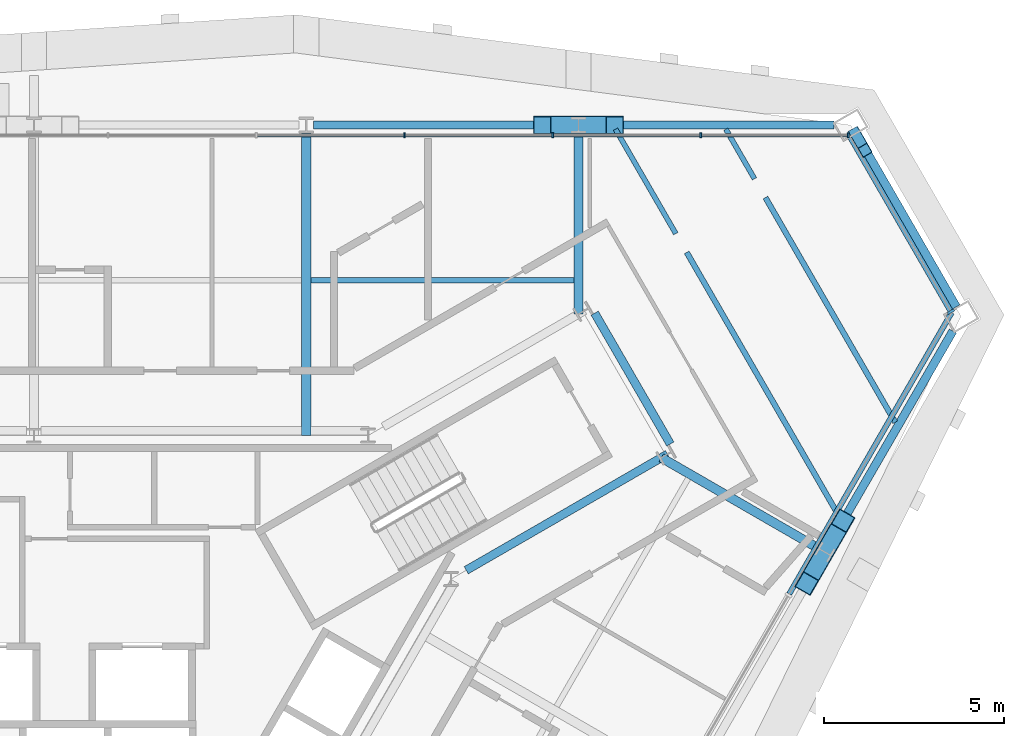
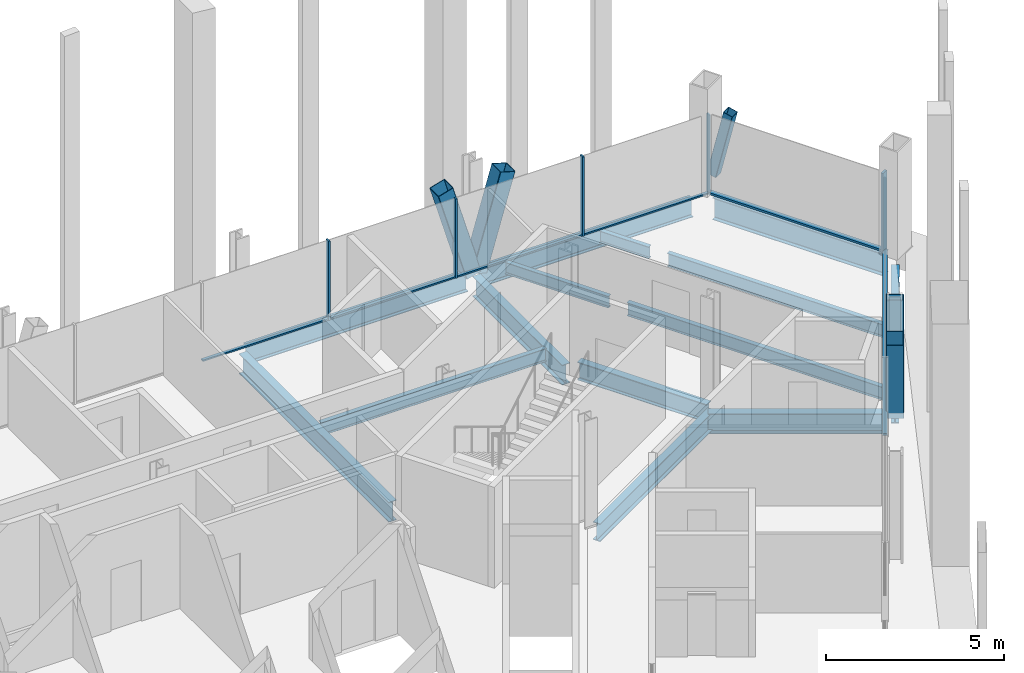
# One storey, part 7 of 14: 16 members, 14 beams, 3 elements without a shape of their own.
"""IFC4 building model written with IfcOpenShell, lengths in metres."""

from ifc_helpers import new_model, si_unit, direction, frame, origin, origin_2d, place, context, subcontext, project, spatial, rectangle, hollow_rectangle, i_section, extrude, material, material_profile, profile_set, type_object, element, aggregate, save


model = new_model("IFC4")

# Units and contexts
model_context = context("Model", 3, precision=1e-05, world=origin(), true_north=direction((0.0, 1.0)))
body_context = subcontext(model_context, "Body", "Model", "MODEL_VIEW")
ifc_project = project(units=[si_unit("LENGTHUNIT", "METRE"), si_unit("AREAUNIT", "SQUARE_METRE"), si_unit("VOLUMEUNIT", "CUBIC_METRE"), si_unit("PLANEANGLEUNIT", "RADIAN"), si_unit("MASSUNIT", "GRAM", prefix="KILO")], contexts=[model_context])

# Site, building, storey
site_placement = place(None, origin())
site = spatial("IfcSite", under=ifc_project, at=site_placement, CompositionType="ELEMENT")
building_placement = place(site_placement, origin())
building = spatial("IfcBuilding", under=site, at=building_placement, Name="Verrane Prism Tower", CompositionType="ELEMENT")
storey_placement = place(building_placement, frame((0.0, 0.0, 148.800048828125)))
storey = spatial("IfcBuildingStorey", under=building, at=storey_placement, Name="L36", CompositionType="ELEMENT", Elevation=148.800048828125)

# Member
ifc_material_1 = material(Name="Steel A500 Grade C", Category="steel")
ifc_material_profile_1 = material_profile(ifc_material_1, hollow_rectangle(XDim=0.3046875, YDim=0.3046875, WallThickness=0.0126953125, InnerFilletRadius=0.00634765625, OuterFilletRadius=0.01904296875, at=origin_2d()), Name="HSS12x12x1/2")
ifc_profile_set_1 = profile_set([ifc_material_profile_1], Name="Steel A500 Grade C")
member_type_1 = type_object("IfcMemberType", Name="Chamfer brace HSS12x12x1/2", PredefinedType="BRACE", material=ifc_profile_set_1)
member_1_placement = place(storey_placement, frame((22.775146484375, 16.376220703125, 0.6015625), z_axis=(0.115326879562, -0.199487168378, 0.97309022218), x_axis=(0.865737914398, 0.500497615952, 0.0)))
element("IfcMember", 1, at=member_1_placement, inside=storey, type_object=member_type_1, Name="Chamfer brace NE0 L36", PredefinedType="BRACE", context=body_context, shape_type="SweptSolid", body=[
    extrude(hollow_rectangle(XDim=0.3046875, YDim=0.3046875, WallThickness=0.0126953125, InnerFilletRadius=0.00634765625, OuterFilletRadius=0.01904296875, at=origin_2d()), origin(), (0.0, 0.0, 1.0), 2.326416015625),
])

# Beams
ifc_material_2 = material(Name="Steel A992", Category="steel")
ifc_material_profile_2 = material_profile(ifc_material_2, i_section(OverallWidth=0.2666015625, OverallDepth=0.7568359375, WebThickness=0.013916015625, FlangeThickness=0.019287109375, FilletRadius=0.0166015625, at=origin_2d()), Name="W30x108")
ifc_profile_set_2 = profile_set([ifc_material_profile_2], Name="Steel A992")
beam_type_1 = type_object("IfcBeamType", Name="Chamfer spandrel beam W30x108", PredefinedType="SPANDREL", material=ifc_profile_set_2)
beam_1_placement = place(storey_placement, frame((25.559814453125, 11.559814453125, -0.53857421875), z_axis=(-0.50050398262, 0.865734233689, 0.0), x_axis=(-0.865734233689, -0.50050398262, 0.0)))
element("IfcBeam", 2, at=beam_1_placement, inside=storey, type_object=beam_type_1, Name="Chamfer spandrel beam L36", PredefinedType="SPANDREL", context=body_context, shape_type="SweptSolid", body=[
    extrude(i_section(OverallWidth=0.2666015625, OverallDepth=0.7568359375, WebThickness=0.013916015625, FlangeThickness=0.019287109375, FilletRadius=0.0166015625, at=origin_2d()), origin(), (0.0, 0.0, 1.0), 5.533447265625),
])
ifc_material_3 = material(Name="Steel A992", Category="steel")
ifc_material_profile_3 = material_profile(ifc_material_3, i_section(OverallWidth=0.23046875, OverallDepth=0.6171875, WebThickness=0.01318359375, FlangeThickness=0.022216796875, FilletRadius=0.012939453125, at=origin_2d()), Name="W24x94")
ifc_profile_set_3 = profile_set([ifc_material_profile_3], Name="Steel A992")
beam_type_2 = type_object("IfcBeamType", Name="Core ring girder W24x94", PredefinedType="BEAM", material=ifc_profile_set_3)
beam_2_placement = place(storey_placement, frame((11.986083984375, 4.2666015625, -0.55859375), z_axis=(0.866138896394, 0.499803373492, 0.0), x_axis=(-0.499803373492, 0.866138896394, 0.0)))
element("IfcBeam", 3, at=beam_2_placement, inside=storey, type_object=beam_type_2, Name="Core ring girder L36", PredefinedType="BEAM", context=body_context, shape_type="SweptSolid", body=[
    extrude(i_section(OverallWidth=0.23046875, OverallDepth=0.6171875, WebThickness=0.01318359375, FlangeThickness=0.022216796875, FilletRadius=0.012939453125, at=origin_2d()), origin(), (0.0, 0.0, 1.0), 6.4423828125),
])
beam_3_placement = place(storey_placement, frame((17.64501953125, 7.7666015625, -0.55859375), z_axis=(-0.500393099172, 0.865798328885, 0.0), x_axis=(-0.865798328885, -0.500393099172, 0.0)))
element("IfcBeam", 4, at=beam_3_placement, inside=storey, type_object=beam_type_2, Name="Core ring girder L36", PredefinedType="BEAM", context=body_context, shape_type="SweptSolid", body=[
    extrude(i_section(OverallWidth=0.23046875, OverallDepth=0.6171875, WebThickness=0.01318359375, FlangeThickness=0.022216796875, FilletRadius=0.012939453125, at=origin_2d()), origin(), (0.0, 0.0, 1.0), 4.190673828125),
])

# Members
ifc_material_4 = material(Name="Steel A500 Grade C", Category="steel")
ifc_material_profile_4 = material_profile(ifc_material_4, hollow_rectangle(XDim=0.508056640625, YDim=0.508056640625, WallThickness=0.01904296875, InnerFilletRadius=0.009521484375, OuterFilletRadius=0.028564453125, at=origin_2d()), Name="HSS20x20x3/4")
ifc_profile_set_4 = profile_set([ifc_material_profile_4], Name="Steel A500 Grade C")
member_type_2 = type_object("IfcMemberType", Name="Facade brace HSS20x20x3/4", PredefinedType="BRACE", material=ifc_profile_set_4)
member_2_placement = place(storey_placement, frame((15.186279296875, 16.610107421875, -0.171630859375), z_axis=(0.279551496838, 0.0, 0.960130699757), x_axis=(0.0, 1.0, 0.0)))
element("IfcMember", 5, at=member_2_placement, inside=storey, type_object=member_type_2, Name="Facade brace N0 L36", PredefinedType="BRACE", context=body_context, shape_type="SweptSolid", body=[
    extrude(hollow_rectangle(XDim=0.508056640625, YDim=0.508056640625, WallThickness=0.01904296875, InnerFilletRadius=0.009521484375, OuterFilletRadius=0.028564453125, at=origin_2d()), origin(), (0.0, 0.0, 1.0), 3.281982421875),
])
for number, where, z_axis, x_axis, name in (
    (6, (15.013427734375, 16.610107421875, -0.171630859375), (-0.279825762569, 0.0, 0.960050802095), (0.0, -1.0, 0.0), "Facade brace N1 L36"),
    (7, (21.88671875, 4.695068359375, -0.171630859375), (-0.139764473405, -0.242412144133, 0.960053250789), (0.866322743742, -0.499484638077, 0.0), "Facade brace SE4 L36"),
):
    element("IfcMember", number, at=place(storey_placement, frame(where, z_axis=z_axis, x_axis=x_axis)), inside=storey, type_object=member_type_2, Name=name, PredefinedType="BRACE", context=body_context, shape_type="SweptSolid", body=[
        extrude(hollow_rectangle(XDim=0.508056640625, YDim=0.508056640625, WallThickness=0.01904296875, InnerFilletRadius=0.009521484375, OuterFilletRadius=0.028564453125, at=origin_2d()), origin(), (0.0, 0.0, 1.0), 3.2822265625),
    ])
member_3_placement = place(storey_placement, frame((21.973388671875, 4.844970703125, -0.171630859375), z_axis=(0.14006879057, 0.242051962036, 0.960099776889), x_axis=(-0.865529462177, 0.500858013915, 0.0)))
element("IfcMember", 8, at=member_3_placement, inside=storey, type_object=member_type_2, Name="Facade brace SE5 L36", PredefinedType="BRACE", context=body_context, shape_type="SweptSolid", body=[
    extrude(hollow_rectangle(XDim=0.508056640625, YDim=0.508056640625, WallThickness=0.01904296875, InnerFilletRadius=0.009521484375, OuterFilletRadius=0.028564453125, at=origin_2d()), origin(), (0.0, 0.0, 1.0), 3.281982421875),
])

# Beams
ifc_material_5 = material(Name="Steel A992", Category="steel")
ifc_material_profile_5 = material_profile(ifc_material_5, i_section(OverallWidth=0.140380859375, OverallDepth=0.40380859375, WebThickness=0.007080078125, FlangeThickness=0.01123046875, FilletRadius=0.01025390625, at=origin_2d()), Name="W16x31")
ifc_profile_set_5 = profile_set([ifc_material_profile_5], Name="Steel A992")
beam_type_3 = type_object("IfcBeamType", Name="Floor beam W16x31", PredefinedType="BEAM", material=ifc_profile_set_5)
beam_4_placement = place(storey_placement, frame((19.97802734375, 15.120849609375, -0.362060546875), z_axis=(-0.500011000363, 0.866019052629, 0.0), x_axis=(-0.866019052629, -0.500011000363, 0.0)))
element("IfcBeam", 9, at=beam_4_placement, inside=storey, type_object=beam_type_3, Name="Floor beam L36", PredefinedType="BEAM", context=body_context, shape_type="SweptSolid", body=[
    extrude(i_section(OverallWidth=0.140380859375, OverallDepth=0.40380859375, WebThickness=0.007080078125, FlangeThickness=0.01123046875, FilletRadius=0.01025390625, at=origin_2d()), origin(), (0.0, 0.0, 1.0), 1.5869140625),
])
beam_5_placement = place(storey_placement, frame((17.7958984375, 13.600341796875, -0.362060546875), z_axis=(-0.499964822637, 0.866045712492, 0.0), x_axis=(-0.866045712492, -0.499964822637, 0.0)))
element("IfcBeam", 10, at=beam_5_placement, inside=storey, type_object=beam_type_3, Name="Floor beam L36", PredefinedType="BEAM", context=body_context, shape_type="SweptSolid", body=[
    extrude(i_section(OverallWidth=0.140380859375, OverallDepth=0.40380859375, WebThickness=0.007080078125, FlangeThickness=0.01123046875, FilletRadius=0.01025390625, at=origin_2d()), origin(), (0.0, 0.0, 1.0), 3.342529296875),
])
ifc_material_6 = material(Name="Steel A992", Category="steel")
ifc_material_profile_6 = material_profile(ifc_material_6, i_section(OverallWidth=0.15234375, OverallDepth=0.449462890625, WebThickness=0.007568359375, FlangeThickness=0.0107421875, FilletRadius=0.01025390625, at=origin_2d()), Name="W18x35")
ifc_profile_set_6 = profile_set([ifc_material_profile_6], Name="Steel A992")
beam_type_4 = type_object("IfcBeamType", Name="Floor beam W18x35", PredefinedType="BEAM", material=ifc_profile_set_6)
beam_6_placement = place(storey_placement, frame((7.677001953125, 12.304931640625, -0.384765625), z_axis=(1.0, 0.0, 0.0), x_axis=(0.0, 1.0, 0.0)))
element("IfcBeam", 11, at=beam_6_placement, inside=storey, type_object=beam_type_4, Name="Floor beam L36", PredefinedType="BEAM", context=body_context, shape_type="SweptSolid", body=[
    extrude(i_section(OverallWidth=0.15234375, OverallDepth=0.449462890625, WebThickness=0.007568359375, FlangeThickness=0.0107421875, FilletRadius=0.01025390625, at=origin_2d()), origin(), (0.0, 0.0, 1.0), 7.2958984375),
])
beam_7_placement = place(storey_placement, frame((23.880126953125, 8.368408203125, -0.384765625), z_axis=(-0.500020988977, 0.866013285454, 0.0), x_axis=(-0.866013285454, -0.500020988977, 0.0)))
element("IfcBeam", 12, at=beam_7_placement, inside=storey, type_object=beam_type_4, Name="Floor beam L36", PredefinedType="BEAM", context=body_context, shape_type="SweptSolid", body=[
    extrude(i_section(OverallWidth=0.15234375, OverallDepth=0.449462890625, WebThickness=0.007568359375, FlangeThickness=0.0107421875, FilletRadius=0.01025390625, at=origin_2d()), origin(), (0.0, 0.0, 1.0), 7.197021484375),
])
beam_8_placement = place(storey_placement, frame((22.347900390625, 5.72119140625, -0.384765625), z_axis=(-0.499998509653, 0.866026264235, 0.0), x_axis=(-0.866026264235, -0.499998509653, 0.0)))
element("IfcBeam", 13, at=beam_8_placement, inside=storey, type_object=beam_type_4, Name="Floor beam L36", PredefinedType="BEAM", context=body_context, shape_type="SweptSolid", body=[
    extrude(i_section(OverallWidth=0.15234375, OverallDepth=0.449462890625, WebThickness=0.007568359375, FlangeThickness=0.0107421875, FilletRadius=0.01025390625, at=origin_2d()), origin(), (0.0, 0.0, 1.0), 8.49755859375),
])

# Curtain wall, members
ifc_material_7 = material(Name="Aluminium framed insulated glazing", Category="aluminium")
curtain_wall_type_1 = type_object("IfcCurtainWallType", Name="Curtain wall CW-C 4200 module", PredefinedType="NOTDEFINED", material=ifc_material_7)
curtain_wall_1_placement = place(storey_placement, origin())
curtain_wall_1 = element("IfcCurtainWall", 14, at=curtain_wall_1_placement, inside=storey, type_object=curtain_wall_type_1, Name="Glazed curtain wall north face L36", PredefinedType="NOTDEFINED")
ifc_material_8 = material(Name="Aluminium alloy 6063-T6", Category="aluminium")
ifc_material_profile_7 = material_profile(ifc_material_8, rectangle(XDim=0.139892578125, YDim=0.050048828125, at=origin_2d()), Name="Mullion 50x140 aluminium")
ifc_profile_set_7 = profile_set([ifc_material_profile_7], Name="Aluminium alloy 6063-T6")
member_type_3 = type_object("IfcMemberType", Name="Mullion 50x140 aluminium", PredefinedType="MULLION", material=ifc_profile_set_7)
member_4_placement = place(storey_placement, frame((22.57470703125, 16.3310546875, 0.0), z_axis=(0.0, 0.0, 1.0), x_axis=(0.0, -1.0, 0.0)))
member_4 = element("IfcMember", 15, at=member_4_placement, type_object=member_type_3, Name="CW36.2 mullion 1", PredefinedType="MULLION", context=body_context, shape_type="SweptSolid", body=[
    extrude(rectangle(XDim=0.139892578125, YDim=0.050048828125, at=origin_2d()), origin(), (0.0, 0.0, 1.0), 2.712890625),
])
member_5_placement = place(storey_placement, frame((18.490478515625, 16.3310546875, 0.0), z_axis=(0.0, 0.0, 1.0), x_axis=(0.0, -1.0, 0.0)))
member_5 = element("IfcMember", 16, at=member_5_placement, type_object=member_type_3, Name="CW36.2 mullion 2", PredefinedType="MULLION", context=body_context, shape_type="SweptSolid", body=[
    extrude(rectangle(XDim=0.139892578125, YDim=0.050048828125, at=origin_2d()), origin(), (0.0, 0.0, 1.0), 2.712890625),
])
member_6_placement = place(storey_placement, frame((14.381591796875, 16.3310546875, 0.0), z_axis=(0.0, 0.0, 1.0), x_axis=(0.0, -1.0, 0.0)))
member_6 = element("IfcMember", 17, at=member_6_placement, type_object=member_type_3, Name="CW36.2 mullion 3", PredefinedType="MULLION", context=body_context, shape_type="SweptSolid", body=[
    extrude(rectangle(XDim=0.139892578125, YDim=0.050048828125, at=origin_2d()), origin(), (0.0, 0.0, 1.0), 2.712890625),
])
member_7_placement = place(storey_placement, frame((10.2724609375, 16.3310546875, 0.0), z_axis=(0.0, 0.0, 1.0), x_axis=(0.0, -1.0, 0.0)))
member_7 = element("IfcMember", 18, at=member_7_placement, type_object=member_type_3, Name="CW36.2 mullion 4", PredefinedType="MULLION", context=body_context, shape_type="SweptSolid", body=[
    extrude(rectangle(XDim=0.139892578125, YDim=0.050048828125, at=origin_2d()), origin(), (0.0, 0.0, 1.0), 2.712890625),
])

# Curtain wall, member
ifc_material_9 = material(Name="Aluminium framed insulated glazing", Category="aluminium")
curtain_wall_type_2 = type_object("IfcCurtainWallType", Name="Curtain wall CW-A 8400 module", PredefinedType="NOTDEFINED", material=ifc_material_9)
curtain_wall_2_placement = place(storey_placement, origin())
curtain_wall_2 = element("IfcCurtainWall", 19, at=curtain_wall_2_placement, inside=storey, type_object=curtain_wall_type_2, Name="Glazed curtain wall north-east corner L36", PredefinedType="NOTDEFINED")
ifc_material_10 = material(Name="Aluminium alloy 6063-T6", Category="aluminium")
ifc_material_profile_8 = material_profile(ifc_material_10, rectangle(XDim=0.199951171875, YDim=0.070068359375, at=origin_2d()), Name="Mullion 70x200 aluminium")
ifc_profile_set_8 = profile_set([ifc_material_profile_8], Name="Aluminium alloy 6063-T6")
member_type_4 = type_object("IfcMemberType", Name="Mullion 70x200 aluminium", PredefinedType="MULLION", material=ifc_profile_set_8)
member_8_placement = place(storey_placement, frame((25.42529296875, 11.4365234375, 0.0), z_axis=(0.0, 0.0, 1.0), x_axis=(-0.866023642559, -0.50000305052, 0.0)))
member_8 = element("IfcMember", 20, at=member_8_placement, type_object=member_type_4, Name="CW36.1 mullion 1", PredefinedType="MULLION", context=body_context, shape_type="SweptSolid", body=[
    extrude(rectangle(XDim=0.199951171875, YDim=0.070068359375, at=origin_2d()), origin(), (0.0, 0.0, 1.0), 2.712890625),
])

# Beams
ifc_material_11 = material(Name="Steel A992", Category="steel")
ifc_material_profile_9 = material_profile(ifc_material_11, i_section(OverallWidth=0.25390625, OverallDepth=0.683349609375, WebThickness=0.012451171875, FlangeThickness=0.01904296875, FilletRadius=0.01513671875, at=origin_2d()), Name="W27x94")
ifc_profile_set_9 = profile_set([ifc_material_profile_9], Name="Steel A992")
beam_type_5 = type_object("IfcBeamType", Name="Radial girder W27x94", PredefinedType="BEAM", material=ifc_profile_set_9)
beam_9_placement = place(storey_placement, frame((15.10009765625, 16.392822265625, -0.561767578125), z_axis=(0.0, -1.0, 0.0), x_axis=(1.0, 0.0, 0.0)))
element("IfcBeam", 21, at=beam_9_placement, inside=storey, type_object=beam_type_5, Name="Radial girder L36", PredefinedType="BEAM", context=body_context, shape_type="SweptSolid", body=[
    extrude(i_section(OverallWidth=0.25390625, OverallDepth=0.683349609375, WebThickness=0.012451171875, FlangeThickness=0.01904296875, FilletRadius=0.01513671875, at=origin_2d()), origin(), (0.0, 0.0, 1.0), 5.022216796875),
])
beam_10_placement = place(storey_placement, frame((7.550048828125, 16.392822265625, -0.561767578125), z_axis=(0.0, -1.0, 0.0), x_axis=(1.0, 0.0, 0.0)))
element("IfcBeam", 22, at=beam_10_placement, inside=storey, type_object=beam_type_5, Name="Radial girder L36", PredefinedType="BEAM", context=body_context, shape_type="SweptSolid", body=[
    extrude(i_section(OverallWidth=0.25390625, OverallDepth=0.683349609375, WebThickness=0.012451171875, FlangeThickness=0.01904296875, FilletRadius=0.01513671875, at=origin_2d()), origin(), (0.0, 0.0, 1.0), 8.392822265625),
])
beam_11_placement = place(storey_placement, frame((21.741943359375, 4.878662109375, -0.561767578125), z_axis=(-0.866016279763, 0.500015802937, 0.0), x_axis=(-0.500015802937, -0.866016279763, 0.0)))
element("IfcBeam", 23, at=beam_11_placement, inside=storey, type_object=beam_type_5, Name="Radial girder L36", PredefinedType="BEAM", context=body_context, shape_type="SweptSolid", body=[
    extrude(i_section(OverallWidth=0.25390625, OverallDepth=0.683349609375, WebThickness=0.012451171875, FlangeThickness=0.01904296875, FilletRadius=0.01513671875, at=origin_2d()), origin(), (0.0, 0.0, 1.0), 5.018798828125),
])
ifc_material_12 = material(Name="Steel A992", Category="steel")
ifc_material_profile_10 = material_profile(ifc_material_12, i_section(OverallWidth=0.23046875, OverallDepth=0.6171875, WebThickness=0.01318359375, FlangeThickness=0.022216796875, FilletRadius=0.012939453125, at=origin_2d()), Name="W24x94")
ifc_profile_set_10 = profile_set([ifc_material_profile_10], Name="Steel A992")
beam_type_6 = type_object("IfcBeamType", Name="Spandrel beam W24x94", PredefinedType="SPANDREL", material=ifc_profile_set_10)
beam_12_placement = place(storey_placement, frame((22.177978515625, 16.610107421875, -0.46875), z_axis=(-1.0, 0.0, 0.0), x_axis=(0.0, -1.0, 0.0)))
element("IfcBeam", 24, at=beam_12_placement, inside=storey, type_object=beam_type_6, Name="Spandrel beam L36", PredefinedType="SPANDREL", context=body_context, shape_type="SweptSolid", body=[
    extrude(i_section(OverallWidth=0.23046875, OverallDepth=0.6171875, WebThickness=0.01318359375, FlangeThickness=0.022216796875, FilletRadius=0.012939453125, at=origin_2d()), origin(), (0.0, 0.0, 1.0), 6.872314453125),
])
beam_13_placement = place(storey_placement, frame((14.894287109375, 16.610107421875, -0.46875), z_axis=(-1.0, 0.0, 0.0), x_axis=(0.0, -1.0, 0.0)))
element("IfcBeam", 25, at=beam_13_placement, inside=storey, type_object=beam_type_6, Name="Spandrel beam L36", PredefinedType="SPANDREL", context=body_context, shape_type="SweptSolid", body=[
    extrude(i_section(OverallWidth=0.23046875, OverallDepth=0.6171875, WebThickness=0.01318359375, FlangeThickness=0.022216796875, FilletRadius=0.012939453125, at=origin_2d()), origin(), (0.0, 0.0, 1.0), 7.138671875),
])
beam_14_placement = place(storey_placement, frame((22.033203125, 4.947998046875, -0.46875), z_axis=(0.500974701182, 0.865461927976, 0.0), x_axis=(-0.865461927976, 0.500974701182, 0.0)))
element("IfcBeam", 26, at=beam_14_placement, inside=storey, type_object=beam_type_6, Name="Spandrel beam L36", PredefinedType="SPANDREL", context=body_context, shape_type="SweptSolid", body=[
    extrude(i_section(OverallWidth=0.23046875, OverallDepth=0.6171875, WebThickness=0.01318359375, FlangeThickness=0.022216796875, FilletRadius=0.012939453125, at=origin_2d()), origin(), (0.0, 0.0, 1.0), 6.877685546875),
])

# Member
ifc_material_13 = material(Name="Aluminium alloy 6063-T6", Category="aluminium")
ifc_material_profile_11 = material_profile(ifc_material_13, rectangle(XDim=0.10009765625, YDim=0.050048828125, at=origin_2d()), Name="Transom 50x100 aluminium")
ifc_profile_set_11 = profile_set([ifc_material_profile_11], Name="Aluminium alloy 6063-T6")
member_type_5 = type_object("IfcMemberType", Name="Transom 50x100 aluminium", PredefinedType="USERDEFINED", material=ifc_profile_set_11)
member_9_placement = place(storey_placement, frame((22.549560546875, 16.3310546875, 0.02490234375), z_axis=(-1.0, 0.0, 0.0), x_axis=(0.0, -1.0, 0.0)))
member_9 = element("IfcMember", 27, at=member_9_placement, type_object=member_type_5, Name="CW36.2 transom 1", ObjectType="TRANSOM", PredefinedType="USERDEFINED", context=body_context, shape_type="SweptSolid", body=[
    extrude(rectangle(XDim=0.10009765625, YDim=0.050048828125, at=origin_2d()), origin(), (0.0, 0.0, 1.0), 4.033935546875),
])

member_10_placement = place(storey_placement, frame((18.465576171875, 16.3310546875, 0.02490234375), z_axis=(-1.0, 0.0, 0.0), x_axis=(0.0, -1.0, 0.0)))
member_10 = element("IfcMember", 28, at=member_10_placement, type_object=member_type_5, Name="CW36.2 transom 2", ObjectType="TRANSOM", PredefinedType="USERDEFINED", context=body_context, shape_type="SweptSolid", body=[
    extrude(rectangle(XDim=0.10009765625, YDim=0.050048828125, at=origin_2d()), origin(), (0.0, 0.0, 1.0), 4.05908203125),
])

member_11_placement = place(storey_placement, frame((14.3564453125, 16.3310546875, 0.02490234375), z_axis=(-1.0, 0.0, 0.0), x_axis=(0.0, -1.0, 0.0)))
member_11 = element("IfcMember", 29, at=member_11_placement, type_object=member_type_5, Name="CW36.2 transom 3", ObjectType="TRANSOM", PredefinedType="USERDEFINED", context=body_context, shape_type="SweptSolid", body=[
    extrude(rectangle(XDim=0.10009765625, YDim=0.050048828125, at=origin_2d()), origin(), (0.0, 0.0, 1.0), 4.058837890625),
])

member_12_placement = place(storey_placement, frame((10.24755859375, 16.3310546875, 0.02490234375), z_axis=(-1.0, 0.0, 0.0), x_axis=(0.0, -1.0, 0.0)))
member_12 = element("IfcMember", 30, at=member_12_placement, type_object=member_type_5, Name="CW36.2 transom 4", ObjectType="TRANSOM", PredefinedType="USERDEFINED", context=body_context, shape_type="SweptSolid", body=[
    extrude(rectangle(XDim=0.10009765625, YDim=0.050048828125, at=origin_2d()), origin(), (0.0, 0.0, 1.0), 4.05908203125),
])

aggregate(curtain_wall_1, [member_4, member_5, member_6, member_7, member_9, member_10, member_11, member_12])

ifc_material_14 = material(Name="Aluminium alloy 6063-T6", Category="aluminium")
ifc_material_profile_12 = material_profile(ifc_material_14, rectangle(XDim=0.14990234375, YDim=0.070068359375, at=origin_2d()), Name="Transom 70x150 aluminium")
ifc_profile_set_12 = profile_set([ifc_material_profile_12], Name="Aluminium alloy 6063-T6")
member_type_6 = type_object("IfcMemberType", Name="Transom 70x150 aluminium", PredefinedType="USERDEFINED", material=ifc_profile_set_12)
member_13_placement = place(storey_placement, frame((25.407958984375, 11.467041015625, 0.034912109375), z_axis=(-0.50001468958, 0.866016922585, 0.0), x_axis=(-0.866016922585, -0.50001468958, 0.0)))
member_13 = element("IfcMember", 31, at=member_13_placement, type_object=member_type_6, Name="CW36.1 transom 1", ObjectType="TRANSOM", PredefinedType="USERDEFINED", context=body_context, shape_type="SweptSolid", body=[
    extrude(rectangle(XDim=0.14990234375, YDim=0.070068359375, at=origin_2d()), origin(), (0.0, 0.0, 1.0), 5.616455078125),
])

aggregate(curtain_wall_2, [member_8, member_13])

# Curtain wall, member
curtain_wall_3_placement = place(storey_placement, origin())
curtain_wall_3 = element("IfcCurtainWall", 32, at=curtain_wall_3_placement, inside=storey, type_object=curtain_wall_type_2, Name="Glazed curtain wall south-east face L36", PredefinedType="NOTDEFINED")
member_14_placement = place(storey_placement, frame((20.9404296875, 3.60791015625, 0.034912109375), z_axis=(0.500005646842, 0.866022143554, 0.0), x_axis=(-0.866022143554, 0.500005646842, 0.0)))
member_14 = element("IfcMember", 33, at=member_14_placement, type_object=member_type_6, Name="CW36.6 transom 5", ObjectType="TRANSOM", PredefinedType="USERDEFINED", context=body_context, shape_type="SweptSolid", body=[
    extrude(rectangle(XDim=0.14990234375, YDim=0.070068359375, at=origin_2d()), origin(), (0.0, 0.0, 1.0), 9.0048828125),
])
aggregate(curtain_wall_3, [member_14])

save(model, "model.ifc")
